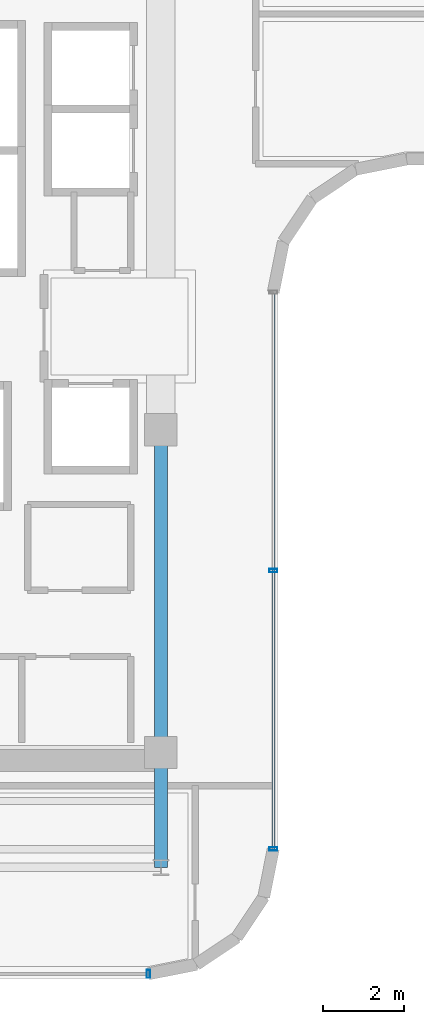
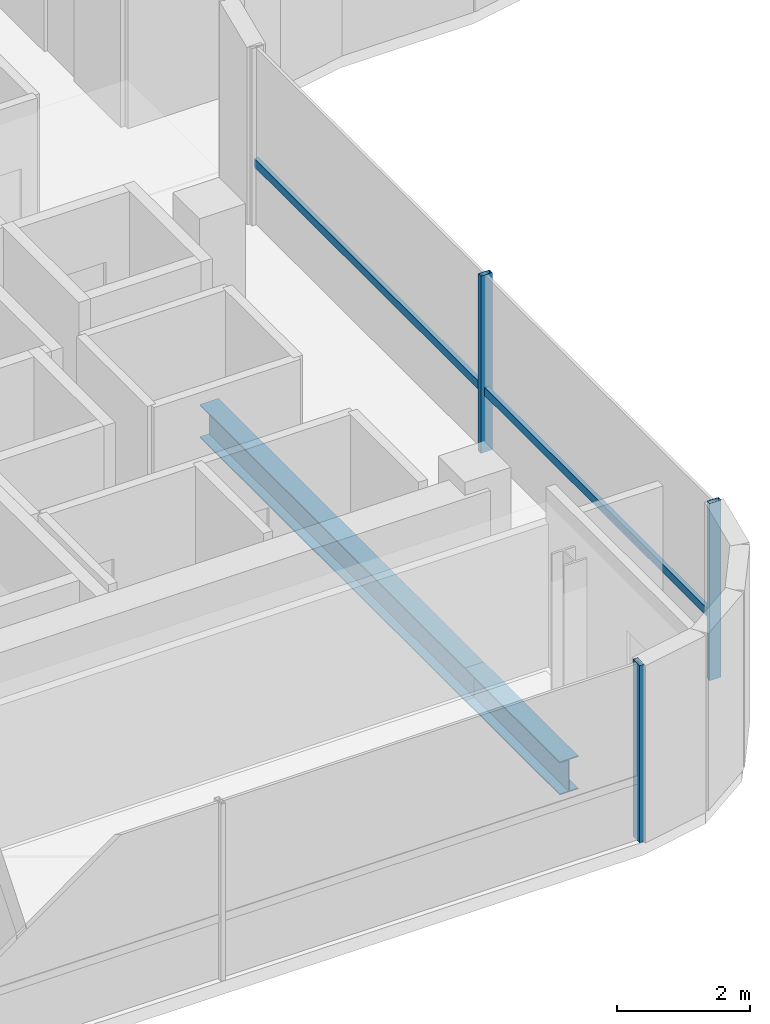
# One storey, part 6 of 21: 4 members, 2 beams, 2 elements without a shape of their own.
"""IFC4 building model written with IfcOpenShell, lengths in metres."""

from ifc_helpers import new_model, si_unit, direction, frame, origin, origin_2d, place, context, subcontext, project, spatial, hollow_rectangle, i_section, extrude, source, transform, mapped, material, material_profile, profile_set, type_object, element, aggregate, save


model = new_model("IFC4")

# Units and contexts
model_context = context("Model", 3, precision=1e-05, world=origin(), true_north=direction((0.0, 1.0)))
body_context = subcontext(model_context, "Body", "Model", "MODEL_VIEW")
ifc_project = project(units=[si_unit("LENGTHUNIT", "METRE"), si_unit("AREAUNIT", "SQUARE_METRE"), si_unit("VOLUMEUNIT", "CUBIC_METRE"), si_unit("PLANEANGLEUNIT", "RADIAN"), si_unit("MASSUNIT", "GRAM", prefix="KILO")], contexts=[model_context])

# Site, building, storey
site_placement = place(None, origin())
site = spatial("IfcSite", under=ifc_project, at=site_placement, CompositionType="ELEMENT")
building_placement = place(site_placement, origin())
building = spatial("IfcBuilding", under=site, at=building_placement, Name="Valdorenza Pilgrim Sanctuary Tower", CompositionType="ELEMENT")
storey_placement = place(building_placement, frame((0.0, 0.0, 251.0)))
storey = spatial("IfcBuildingStorey", under=building, at=storey_placement, Name="L65", CompositionType="ELEMENT", Elevation=251.0)

# Beams
ifc_material_1 = material(Name="Steel ASTM A992 Grade 50", Category="steel")
ifc_material_profile_1 = material_profile(ifc_material_1, i_section(OverallWidth=0.323974609375, OverallDepth=0.611083984375, WebThickness=0.0126953125, FlangeThickness=0.01904296875, at=origin_2d()), Name="W24X104")
ifc_profile_set_1 = profile_set([ifc_material_profile_1], Name="Steel ASTM A992 Grade 50")
beam_type = type_object("IfcBeamType", Name="STR-BM-GRD-W24B", PredefinedType="BEAM", material=ifc_profile_set_1)
shared_shape_1 = source(origin(), body_context, "Body", "SweptSolid", [
    extrude(i_section(OverallWidth=0.323974609375, OverallDepth=0.611083984375, WebThickness=0.0126953125, FlangeThickness=0.01904296875, at=origin_2d()), origin(), (0.0, 0.0, 1.0), 8.0),
])
beam_1_placement = place(storey_placement, frame((-12.39990234375, -10.60009765625, -0.54541015625), z_axis=(0.0, 1.0, 0.0), x_axis=(-1.0, 0.0, 0.0)))
element("IfcBeam", 1, at=beam_1_placement, inside=storey, type_object=beam_type, Name="L65 Core Tie Girder CA-E-S1M0", PredefinedType="BEAM", context=body_context, shape_type="MappedRepresentation", body=[
    mapped(shared_shape_1, transform((0.0, 0.0, 0.0), x_axis=(1.0, 0.0, 0.0), y_axis=(0.0, 1.0, 0.0), z_axis=(0.0, 0.0, 1.0), scale=1.0)),
])
shared_shape_2 = source(origin(), body_context, "Body", "SweptSolid", [
    extrude(i_section(OverallWidth=0.323974609375, OverallDepth=0.611083984375, WebThickness=0.0126953125, FlangeThickness=0.01904296875, at=origin_2d()), origin(), (0.0, 0.0, 1.0), 2.849853515625),
])
beam_2_placement = place(storey_placement, frame((-12.39990234375, -13.449951171875, -0.54541015625), z_axis=(0.0, 1.0, 0.0), x_axis=(-1.0, 0.0, 0.0)))
element("IfcBeam", 2, at=beam_2_placement, inside=storey, type_object=beam_type, Name="L65 Floor Girder WA-S-LE", PredefinedType="BEAM", context=body_context, shape_type="MappedRepresentation", body=[
    mapped(shared_shape_2, transform((0.0, 0.0, 0.0), x_axis=(1.0, 0.0, 0.0), y_axis=(0.0, 1.0, 0.0), z_axis=(0.0, 0.0, 1.0), scale=1.0)),
])

# Curtain wall, members
ifc_material_2 = material(Name="Curtain-wall IGU glazing", Category="glass")
curtain_wall_type = type_object("IfcCurtainWallType", Name="CW-SYS-02", PredefinedType="NOTDEFINED", material=ifc_material_2)
curtain_wall_1_placement = place(storey_placement, origin())
curtain_wall_1 = element("IfcCurtainWall", 3, at=curtain_wall_1_placement, inside=storey, type_object=curtain_wall_type, Name="L65 Curtain Wall CW-L65-1-21", PredefinedType="NOTDEFINED")
ifc_material_3 = material(Name="Anodised aluminium AW-6060", Category="aluminium")
ifc_material_profile_2 = material_profile(ifc_material_3, hollow_rectangle(XDim=0.0849609375, YDim=0.199951171875, WallThickness=0.0048828125, at=origin_2d()), Name="ALU-M 200x85x5")
ifc_profile_set_2 = profile_set([ifc_material_profile_2], Name="Anodised aluminium AW-6060")
member_type_1 = type_object("IfcMemberType", Name="CW-MUL-02", PredefinedType="MULLION", material=ifc_profile_set_2)
shared_shape_3 = source(origin(), body_context, "Body", "SweptSolid", [
    extrude(hollow_rectangle(XDim=0.0849609375, YDim=0.199951171875, WallThickness=0.0048828125, at=origin_2d()), origin(), (0.0, 0.0, 1.0), 3.260009765625),
])
member_1_placement = place(storey_placement, frame((-9.610107421875, -6.089111328125, 0.0), z_axis=(0.0, 0.0, 1.0), x_axis=(0.0, -1.0, 0.0)))
member_1 = element("IfcMember", 4, at=member_1_placement, type_object=member_type_1, Name="CW-L65-1-21 Mullion 2", PredefinedType="MULLION", context=body_context, shape_type="MappedRepresentation", body=[
    mapped(shared_shape_3, transform((0.0, 0.0, 0.0), x_axis=(1.0, 0.0, 0.0), y_axis=(0.0, 1.0, 0.0), z_axis=(0.0, 0.0, 1.0), scale=1.0)),
])
member_2_placement = place(storey_placement, frame((-9.610107421875, -12.9892578125, 0.0), z_axis=(0.0, 0.0, 1.0), x_axis=(0.0, -1.0, 0.0)))
member_2 = element("IfcMember", 5, at=member_2_placement, type_object=member_type_1, Name="CW-L65-1-21 Mullion 3", PredefinedType="MULLION", context=body_context, shape_type="MappedRepresentation", body=[
    mapped(shared_shape_3, transform((0.0, 0.0, 0.0), x_axis=(1.0, 0.0, 0.0), y_axis=(0.0, 1.0, 0.0), z_axis=(0.0, 0.0, 1.0), scale=1.0)),
])

# Curtain wall, member
curtain_wall_2_placement = place(storey_placement, origin())
curtain_wall_2 = element("IfcCurtainWall", 6, at=curtain_wall_2_placement, inside=storey, type_object=curtain_wall_type, Name="L65 Curtain Wall CW-L65-1-26", PredefinedType="NOTDEFINED")
member_3_placement = place(storey_placement, frame((-12.710693359375, -16.090087890625, 0.0), z_axis=(0.0, 0.0, 1.0), x_axis=(-1.0, 0.0, 0.0)))
member_3 = element("IfcMember", 7, at=member_3_placement, type_object=member_type_1, Name="CW-L65-1-26 Mullion 1", PredefinedType="MULLION", context=body_context, shape_type="MappedRepresentation", body=[
    mapped(shared_shape_3, transform((0.0, 0.0, 0.0), x_axis=(1.0, 0.0, 0.0), y_axis=(0.0, 1.0, 0.0), z_axis=(0.0, 0.0, 1.0), scale=1.0)),
])
aggregate(curtain_wall_2, [member_3])

# Member
ifc_material_profile_3 = material_profile(ifc_material_3, hollow_rectangle(XDim=0.074951171875, YDim=0.14990234375, WallThickness=0.00390625, at=origin_2d()), Name="ALU-T 150x75x4")
ifc_profile_set_3 = profile_set([ifc_material_profile_3], Name="Anodised aluminium AW-6060")
member_type_2 = type_object("IfcMemberType", Name="CW-TRN-02", PredefinedType="USERDEFINED", material=ifc_profile_set_3)
shared_shape_4 = source(origin(), body_context, "Body", "SweptSolid", [
    extrude(hollow_rectangle(XDim=0.074951171875, YDim=0.14990234375, WallThickness=0.00390625, at=origin_2d()), origin(), (0.0, 0.0, 1.0), 13.800048828125),
])
member_4_placement = place(storey_placement, frame((-9.610107421875, 0.810791015625, 1.1201171875), z_axis=(0.0, -1.0, 0.0), x_axis=(1.0, 0.0, 0.0)))
member_4 = element("IfcMember", 8, at=member_4_placement, type_object=member_type_2, Name="CW-L65-1-21 Transom 1", ObjectType="TRANSOM", PredefinedType="USERDEFINED", context=body_context, shape_type="MappedRepresentation", body=[
    mapped(shared_shape_4, transform((0.0, 0.0, 0.0), x_axis=(1.0, 0.0, 0.0), y_axis=(0.0, 1.0, 0.0), z_axis=(0.0, 0.0, 1.0), scale=1.0)),
])

aggregate(curtain_wall_1, [member_1, member_2, member_4])

save(model, "model.ifc")
